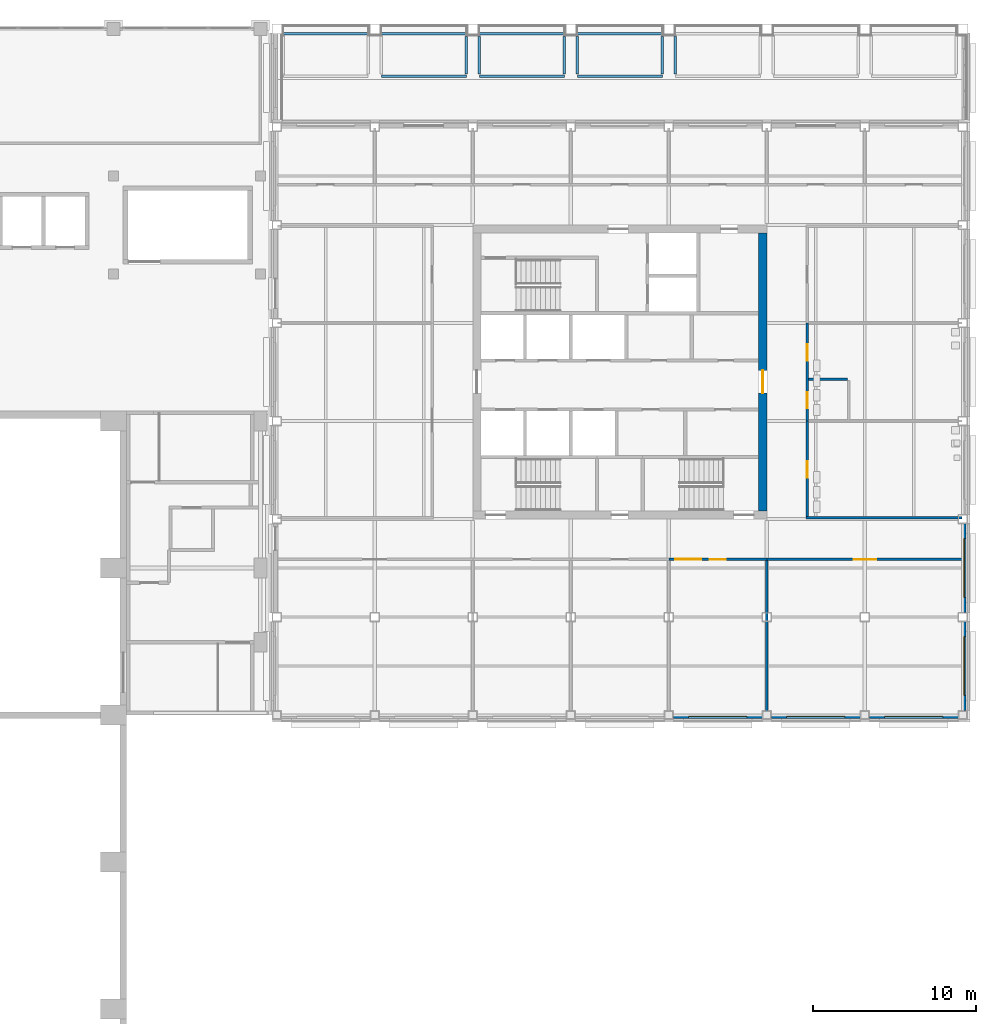
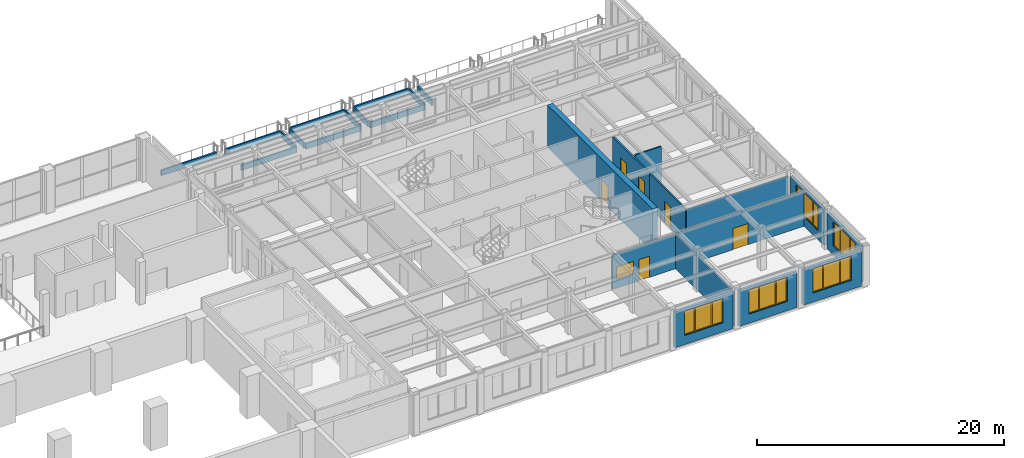
# One storey, part 26 of 39: 26 walls, 6 doors, 6 windows, 12 openings.
"""IFC4 building model written with IfcOpenShell, lengths in metres."""

from ifc_helpers import new_model, si_unit, direction, frame, frame_2d, origin, place, context, subcontext, project, spatial, polyline, rectangle, outline, extrude, material, layer, layer_set, type_object, element, fill, save


model = new_model("IFC4")

# Units and contexts
model_context = context("Model", 3, precision=1e-05, world=origin(), true_north=direction((0.0, 1.0)))
body_context = subcontext(model_context, "Body", "Model", "MODEL_VIEW")
ifc_project = project(units=[si_unit("LENGTHUNIT", "METRE"), si_unit("AREAUNIT", "SQUARE_METRE"), si_unit("VOLUMEUNIT", "CUBIC_METRE"), si_unit("PLANEANGLEUNIT", "RADIAN"), si_unit("MASSUNIT", "GRAM", prefix="KILO")], contexts=[model_context])

# Site, building, storey
site_placement = place(None, origin())
site = spatial("IfcSite", under=ifc_project, at=site_placement, CompositionType="ELEMENT")
building_placement = place(site_placement, origin())
building = spatial("IfcBuilding", under=site, at=building_placement, Name="Aravalli Gate Trade Fair Centre", CompositionType="ELEMENT")
storey_placement = place(building_placement, frame((0.0, 0.0, 15.0)))
storey = spatial("IfcBuildingStorey", under=building, at=storey_placement, Name="L03", CompositionType="ELEMENT", Elevation=15.0)

# Wall, opening, door
ifc_material_1 = material(Name="Concrete M50", Category="concrete")
ifc_layer_1 = layer(ifc_material_1, 0.5)
ifc_layer_set_1 = layer_set([ifc_layer_1], Name="Concrete M50")
wall_type_1 = type_object("IfcWallType", Name="Wing core shear wall 500", PredefinedType="SHEAR", material=ifc_layer_set_1)
wall_1_placement = place(storey_placement, frame((189.75, 103.5, 0.0), z_axis=(0.0, 0.0, 1.0), x_axis=(0.0, 1.0, 0.0)))
wall_1 = element("IfcWall", 1, at=wall_1_placement, inside=storey, type_object=wall_type_1, Name="Core wall E L03", PredefinedType="SHEAR", context=body_context, shape_type="SweptSolid", body=[
    extrude(rectangle(XDim=17.0, YDim=0.5, at=frame_2d((8.5, 0.0))), origin(), (0.0, 0.0, 1.0), 4.199951171875),
])
opening_1_placement = place(wall_1_placement, frame((7.199951171875, 0.0, 0.0)))
opening_1 = element("IfcOpeningElement", 2, at=opening_1_placement, cuts=wall_1, Name="Opening T-L03-107", PredefinedType="OPENING", context=body_context, shape_type="SweptSolid", body=[
    extrude(rectangle(XDim=1.39990234375, YDim=2.10009765625, at=frame_2d((0.699951171875, 1.050048828125))), frame((0.0, 0.260009765625, 0.0), z_axis=(0.0, -1.0, 0.0), x_axis=(1.0, 0.0, 0.0)), (0.0, 0.0, 1.0), 0.52001953125),
])
ifc_material_2 = material(Name="Steel, fire rated", Category="steel")
door_type_1 = type_object("IfcDoorType", Name="Wing fire door FD120 1400 x 2100", OperationType="DOUBLE_DOOR_SINGLE_SWING", PredefinedType="DOOR", material=ifc_material_2)
door_1_placement = place(opening_1_placement, frame((1.39990234375, 0.0, 0.0), z_axis=(0.0, 0.0, 1.0), x_axis=(-1.0, 0.0, 0.0)))
door_1 = element("IfcDoor", 3, at=door_1_placement, inside=storey, type_object=door_type_1, Name="Core door T-L03-107", OperationType="DOUBLE_DOOR_SINGLE_SWING", OverallHeight=2.10009765625, OverallWidth=1.39990234375, PredefinedType="DOOR", context=body_context, shape_type="SweptSolid", body=[
    extrude(rectangle(XDim=1.39990234375, YDim=2.10009765625, at=frame_2d((0.699951171875, 1.050048828125))), frame((0.0, 0.02490234375, 0.0), z_axis=(0.0, -1.0, 0.0), x_axis=(1.0, 0.0, 0.0)), (0.0, 0.0, 1.0), 0.050048828125),
])
fill(opening_1, door_1)

# Wall, openings, door, window
ifc_material_3 = material(Name="Blockwork with fire-rated lining", Category="masonry")
ifc_layer_2 = layer(ifc_material_3, 0.14990234375)
ifc_layer_set_2 = layer_set([ifc_layer_2], Name="Blockwork with fire-rated lining")
wall_type_2 = type_object("IfcWallType", Name="Wing partition 150 (EI 60, corridor wall)", PredefinedType="PARTITIONING", material=ifc_layer_set_2)
wall_2_placement = place(storey_placement, frame((184.0, 100.52490234375, 0.0), z_axis=(0.0, 0.0, 1.0), x_axis=(1.0, 0.0, 0.0)))
wall_2 = element("IfcWall", 4, at=wall_2_placement, inside=storey, type_object=wall_type_2, Name="Partition SW4 L03", PredefinedType="PARTITIONING", context=body_context, shape_type="SweptSolid", body=[
    extrude(rectangle(XDim=6.0, YDim=0.14990234375, at=frame_2d((3.0, 0.0))), origin(), (0.0, 0.0, 1.0), 3.39990234375),
])
opening_2_placement = place(wall_2_placement, frame((0.39990234375, 0.0, 0.89990234375)))
opening_2 = element("IfcOpeningElement", 5, at=opening_2_placement, cuts=wall_2, Name="Opening TWN2", PredefinedType="OPENING", context=body_context, shape_type="SweptSolid", body=[
    extrude(rectangle(XDim=1.60009765625, YDim=1.199951171875, at=frame_2d((0.800048828125, 0.60009765625))), frame((0.0, 0.0849609375, 0.0), z_axis=(0.0, -1.0, 0.0), x_axis=(1.0, 0.0, 0.0)), (0.0, 0.0, 1.0), 0.169921875),
])
opening_3_placement = place(wall_2_placement, frame((2.5, 0.0, 0.0)))
opening_3 = element("IfcOpeningElement", 6, at=opening_3_placement, cuts=wall_2, Name="Opening T-L03-144", PredefinedType="OPENING", context=body_context, shape_type="SweptSolid", body=[
    extrude(rectangle(XDim=1.0, YDim=2.10009765625, at=frame_2d((0.5, 1.050048828125))), frame((0.0, 0.0849609375, 0.0), z_axis=(0.0, -1.0, 0.0), x_axis=(1.0, 0.0, 0.0)), (0.0, 0.0, 1.0), 0.169921875),
])
door_type_2 = type_object("IfcDoorType", Name="Wing fire door FD60 1000 x 2100", OperationType="SINGLE_SWING_LEFT", PredefinedType="DOOR", material=ifc_material_2)
door_2_placement = place(opening_3_placement, frame((1.0, 0.0, 0.0), z_axis=(0.0, 0.0, 1.0), x_axis=(-1.0, 0.0, 0.0)))
door_2 = element("IfcDoor", 7, at=door_2_placement, inside=storey, type_object=door_type_2, Name="Door T-L03-144", OperationType="SINGLE_SWING_LEFT", OverallHeight=2.10009765625, OverallWidth=1.0, PredefinedType="DOOR", context=body_context, shape_type="SweptSolid", body=[
    extrude(rectangle(XDim=1.0, YDim=2.10009765625, at=frame_2d((0.5, 1.050048828125))), frame((0.0, 0.02490234375, 0.0), z_axis=(0.0, -1.0, 0.0), x_axis=(1.0, 0.0, 0.0)), (0.0, 0.0, 1.0), 0.050048828125),
])
fill(opening_3, door_2)
ifc_material_4 = material(Name="Aluminium and glass", Category="aluminium")
window_type_1 = type_object("IfcWindowType", Name="Wing interior glazed screen 1600 x 1200", PartitioningType="SINGLE_PANEL", PredefinedType="WINDOW", material=ifc_material_4)
window_1_placement = place(opening_2_placement, origin())
window_1 = element("IfcWindow", 8, at=window_1_placement, inside=storey, type_object=window_type_1, Name="Glazed screen T-L03-144", OverallHeight=1.199951171875, OverallWidth=1.60009765625, PartitioningType="SINGLE_PANEL", PredefinedType="WINDOW", context=body_context, shape_type="SweptSolid", body=[
    extrude(rectangle(XDim=1.60009765625, YDim=1.199951171875, at=frame_2d((0.800048828125, 0.60009765625))), frame((0.0, 0.030029296875, 0.0), z_axis=(0.0, -1.0, 0.0), x_axis=(1.0, 0.0, 0.0)), (0.0, 0.0, 1.0), 0.06005859375),
])
fill(opening_2, window_1)

# Wall
wall_3_placement = place(storey_placement, frame((190.0, 91.050048828125, 0.0), z_axis=(0.0, 0.0, 1.0), x_axis=(0.0, 1.0, 0.0)))
element("IfcWall", 9, at=wall_3_placement, inside=storey, type_object=wall_type_2, Name="Partition SP4 L03", PredefinedType="PARTITIONING", context=body_context, shape_type="SweptSolid", body=[
    extrude(rectangle(XDim=9.39990234375, YDim=0.14990234375, at=frame_2d((4.699951171875, 0.0))), origin(), (0.0, 0.0, 1.0), 3.39990234375),
])

# Wall, opening, door
wall_4_placement = place(storey_placement, frame((190.0, 100.52490234375, 0.0), z_axis=(0.0, 0.0, 1.0), x_axis=(1.0, 0.0, 0.0)))
wall_4 = element("IfcWall", 10, at=wall_4_placement, inside=storey, type_object=wall_type_2, Name="Partition SW5 L03", PredefinedType="PARTITIONING", context=body_context, shape_type="SweptSolid", body=[
    extrude(rectangle(XDim=11.949951171875, YDim=0.14990234375, at=frame_2d((5.97509765625, 0.0))), origin(), (0.0, 0.0, 1.0), 3.39990234375),
])
opening_4_placement = place(wall_4_placement, frame((5.3125, 0.0, 0.0)))
opening_4 = element("IfcOpeningElement", 11, at=opening_4_placement, cuts=wall_4, Name="Opening T-L03-145", PredefinedType="OPENING", context=body_context, shape_type="SweptSolid", body=[
    extrude(rectangle(XDim=1.39990234375, YDim=2.10009765625, at=frame_2d((0.699951171875, 1.050048828125))), frame((0.0, 0.0849609375, 0.0), z_axis=(0.0, -1.0, 0.0), x_axis=(1.0, 0.0, 0.0)), (0.0, 0.0, 1.0), 0.169921875),
])
door_type_3 = type_object("IfcDoorType", Name="Wing fire door FD60 1400 x 2100", OperationType="DOUBLE_DOOR_SINGLE_SWING", PredefinedType="DOOR", material=ifc_material_2)
door_3_placement = place(opening_4_placement, frame((1.39990234375, 0.0, 0.0), z_axis=(0.0, 0.0, 1.0), x_axis=(-1.0, 0.0, 0.0)))
door_3 = element("IfcDoor", 12, at=door_3_placement, inside=storey, type_object=door_type_3, Name="Door T-L03-145", OperationType="DOUBLE_DOOR_SINGLE_SWING", OverallHeight=2.10009765625, OverallWidth=1.39990234375, PredefinedType="DOOR", context=body_context, shape_type="SweptSolid", body=[
    extrude(rectangle(XDim=1.39990234375, YDim=2.10009765625, at=frame_2d((0.699951171875, 1.050048828125))), frame((0.0, 0.02490234375, 0.0), z_axis=(0.0, -1.0, 0.0), x_axis=(1.0, 0.0, 0.0)), (0.0, 0.0, 1.0), 0.050048828125),
])
fill(opening_4, door_3)

wall_5_placement = place(storey_placement, frame((192.47509765625, 103.14990234375, 0.0), z_axis=(0.0, 0.0, 1.0), x_axis=(0.0, 1.0, 0.0)))
wall_5 = element("IfcWall", 13, at=wall_5_placement, inside=storey, type_object=wall_type_2, Name="Partition EW1 L03", PredefinedType="PARTITIONING", context=body_context, shape_type="SweptSolid", body=[
    extrude(rectangle(XDim=5.85009765625, YDim=0.14990234375, at=frame_2d((2.925048828125, 0.0))), origin(), (0.0, 0.0, 1.0), 3.39990234375),
])
opening_5_placement = place(wall_5_placement, frame((2.387451171875, 0.0, 0.0)))
opening_5 = element("IfcOpeningElement", 14, at=opening_5_placement, cuts=wall_5, Name="Opening T-L03-155", PredefinedType="OPENING", context=body_context, shape_type="SweptSolid", body=[
    extrude(rectangle(XDim=1.0, YDim=2.10009765625, at=frame_2d((0.5, 1.050048828125))), frame((0.0, 0.0849609375, 0.0), z_axis=(0.0, -1.0, 0.0), x_axis=(1.0, 0.0, 0.0)), (0.0, 0.0, 1.0), 0.169921875),
])
door_4_placement = place(opening_5_placement, frame((1.0, 0.0, 0.0), z_axis=(0.0, 0.0, 1.0), x_axis=(-1.0, 0.0, 0.0)))
door_4 = element("IfcDoor", 15, at=door_4_placement, inside=storey, type_object=door_type_2, Name="Door T-L03-155", OperationType="SINGLE_SWING_RIGHT", OverallHeight=2.10009765625, OverallWidth=1.0, PredefinedType="DOOR", context=body_context, shape_type="SweptSolid", body=[
    extrude(rectangle(XDim=1.0, YDim=2.10009765625, at=frame_2d((0.5, 1.050048828125))), frame((0.0, 0.02490234375, 0.0), z_axis=(0.0, -1.0, 0.0), x_axis=(1.0, 0.0, 0.0)), (0.0, 0.0, 1.0), 0.050048828125),
])
fill(opening_5, door_4)

# Wall, openings, doors
wall_6_placement = place(storey_placement, frame((192.47509765625, 109.0, 0.0), z_axis=(0.0, 0.0, 1.0), x_axis=(0.0, 1.0, 0.0)))
wall_6 = element("IfcWall", 16, at=wall_6_placement, inside=storey, type_object=wall_type_2, Name="Partition EW2 L03", PredefinedType="PARTITIONING", context=body_context, shape_type="SweptSolid", body=[
    extrude(rectangle(XDim=6.0, YDim=0.14990234375, at=frame_2d((3.0, 0.0))), origin(), (0.0, 0.0, 1.0), 3.39990234375),
])
opening_6_placement = place(wall_6_placement, frame((3.699951171875, 0.0, 0.0)))
opening_6 = element("IfcOpeningElement", 17, at=opening_6_placement, cuts=wall_6, Name="Opening T-L03-156", PredefinedType="OPENING", context=body_context, shape_type="SweptSolid", body=[
    extrude(rectangle(XDim=1.0, YDim=2.10009765625, at=frame_2d((0.5, 1.050048828125))), frame((0.0, 0.0849609375, 0.0), z_axis=(0.0, -1.0, 0.0), x_axis=(1.0, 0.0, 0.0)), (0.0, 0.0, 1.0), 0.169921875),
])
opening_7_placement = place(wall_6_placement, frame((0.77490234375, 0.0, 0.0)))
opening_7 = element("IfcOpeningElement", 18, at=opening_7_placement, cuts=wall_6, Name="Opening T-L03-157", PredefinedType="OPENING", context=body_context, shape_type="SweptSolid", body=[
    extrude(rectangle(XDim=1.0, YDim=2.10009765625, at=frame_2d((0.5, 1.050048828125))), frame((0.0, 0.0849609375, 0.0), z_axis=(0.0, -1.0, 0.0), x_axis=(1.0, 0.0, 0.0)), (0.0, 0.0, 1.0), 0.169921875),
])
door_5_placement = place(opening_6_placement, frame((1.0, 0.0, 0.0), z_axis=(0.0, 0.0, 1.0), x_axis=(-1.0, 0.0, 0.0)))
door_5 = element("IfcDoor", 19, at=door_5_placement, inside=storey, type_object=door_type_2, Name="Door T-L03-156", OperationType="SINGLE_SWING_RIGHT", OverallHeight=2.10009765625, OverallWidth=1.0, PredefinedType="DOOR", context=body_context, shape_type="SweptSolid", body=[
    extrude(rectangle(XDim=1.0, YDim=2.10009765625, at=frame_2d((0.5, 1.050048828125))), frame((0.0, 0.02490234375, 0.0), z_axis=(0.0, -1.0, 0.0), x_axis=(1.0, 0.0, 0.0)), (0.0, 0.0, 1.0), 0.050048828125),
])
fill(opening_6, door_5)
door_6_placement = place(opening_7_placement, frame((1.0, 0.0, 0.0), z_axis=(0.0, 0.0, 1.0), x_axis=(-1.0, 0.0, 0.0)))
door_6 = element("IfcDoor", 20, at=door_6_placement, inside=storey, type_object=door_type_2, Name="Door T-L03-157", OperationType="SINGLE_SWING_RIGHT", OverallHeight=2.10009765625, OverallWidth=1.0, PredefinedType="DOOR", context=body_context, shape_type="SweptSolid", body=[
    extrude(rectangle(XDim=1.0, YDim=2.10009765625, at=frame_2d((0.5, 1.050048828125))), frame((0.0, 0.02490234375, 0.0), z_axis=(0.0, -1.0, 0.0), x_axis=(1.0, 0.0, 0.0)), (0.0, 0.0, 1.0), 0.050048828125),
])
fill(opening_7, door_6)

# Walls
wall_7_placement = place(storey_placement, frame((192.550048828125, 111.550048828125, 0.0), z_axis=(0.0, 0.0, 1.0), x_axis=(1.0, 0.0, 0.0)))
element("IfcWall", 21, at=wall_7_placement, inside=storey, type_object=wall_type_2, Name="Partition EA2y L03", PredefinedType="PARTITIONING", context=body_context, shape_type="SweptSolid", body=[
    extrude(rectangle(XDim=2.39990234375, YDim=0.14990234375, at=frame_2d((1.199951171875, 0.0))), origin(), (0.0, 0.0, 1.0), 3.64990234375),
])
wall_8_placement = place(storey_placement, frame((192.39990234375, 103.074951171875, 0.0), z_axis=(0.0, 0.0, 1.0), x_axis=(1.0, 0.0, 0.0)))
element("IfcWall", 22, at=wall_8_placement, inside=storey, type_object=wall_type_2, Name="Partition CL-SE L03", PredefinedType="PARTITIONING", context=body_context, shape_type="SweptSolid", body=[
    extrude(rectangle(XDim=9.550048828125, YDim=0.14990234375, at=frame_2d((4.77490234375, 0.0))), origin(), (0.0, 0.0, 1.0), 3.39990234375),
])
ifc_material_5 = material(Name="Concrete M30", Category="concrete")
ifc_layer_3 = layer(ifc_material_5, 0.14990234375)
ifc_layer_set_3 = layer_set([ifc_layer_3], Name="Concrete M30")
wall_type_3 = type_object("IfcWallType", Name="Wing planter wall 150", PredefinedType="SOLIDWALL", material=ifc_layer_set_3)
for number, where, z_axis, x_axis, name in (
    (23, (160.39990234375, 132.705078125, 0.0), (0.0, 0.0, 1.0), (1.0, 0.0, 0.0), "Planter wall L03 1N"),
    (24, (166.39990234375, 130.10498046875, 0.0), (0.0, 0.0, 1.0), (1.0, 0.0, 0.0), "Planter wall L03 2S"),
    (25, (166.39990234375, 132.705078125, 0.0), (0.0, 0.0, 1.0), (1.0, 0.0, 0.0), "Planter wall L03 2N"),
):
    element("IfcWall", number, at=place(storey_placement, frame(where, z_axis=z_axis, x_axis=x_axis)), inside=storey, type_object=wall_type_3, Name=name, PredefinedType="SOLIDWALL", context=body_context, shape_type="SweptSolid", body=[
        extrude(rectangle(XDim=5.2001953125, YDim=0.14990234375, at=frame_2d((2.60009765625, 0.0))), origin(), (0.0, 0.0, 1.0), 0.550048828125),
    ])
wall_9_placement = place(storey_placement, frame((171.60009765625, 130.2548828125, 0.0), z_axis=(0.0, 0.0, 1.0), x_axis=(0.0, 1.0, 0.0)))
element("IfcWall", 26, at=wall_9_placement, inside=storey, type_object=wall_type_3, Name="Planter wall L03 2E", PredefinedType="SOLIDWALL", context=body_context, shape_type="SweptSolid", body=[
    extrude(rectangle(XDim=2.300048828125, YDim=0.14990234375, at=frame_2d((1.14990234375, 0.0))), origin(), (0.0, 0.0, 1.0), 0.550048828125),
])
for number, where, z_axis, x_axis, name in (
    (27, (172.39990234375, 130.10498046875, 0.0), (0.0, 0.0, 1.0), (1.0, 0.0, 0.0), "Planter wall L03 3S"),
    (28, (172.39990234375, 132.705078125, 0.0), (0.0, 0.0, 1.0), (1.0, 0.0, 0.0), "Planter wall L03 3N"),
):
    element("IfcWall", number, at=place(storey_placement, frame(where, z_axis=z_axis, x_axis=x_axis)), inside=storey, type_object=wall_type_3, Name=name, PredefinedType="SOLIDWALL", context=body_context, shape_type="SweptSolid", body=[
        extrude(rectangle(XDim=5.2001953125, YDim=0.14990234375, at=frame_2d((2.60009765625, 0.0))), origin(), (0.0, 0.0, 1.0), 0.550048828125),
    ])
for number, where, z_axis, x_axis, name in (
    (29, (172.39990234375, 130.2548828125, 0.0), (0.0, 0.0, 1.0), (0.0, 1.0, 0.0), "Planter wall L03 3W"),
    (30, (177.60009765625, 130.2548828125, 0.0), (0.0, 0.0, 1.0), (0.0, 1.0, 0.0), "Planter wall L03 3E"),
):
    element("IfcWall", number, at=place(storey_placement, frame(where, z_axis=z_axis, x_axis=x_axis)), inside=storey, type_object=wall_type_3, Name=name, PredefinedType="SOLIDWALL", context=body_context, shape_type="SweptSolid", body=[
        extrude(rectangle(XDim=2.300048828125, YDim=0.14990234375, at=frame_2d((1.14990234375, 0.0))), origin(), (0.0, 0.0, 1.0), 0.550048828125),
    ])
for number, where, z_axis, x_axis, name in (
    (31, (178.39990234375, 130.10498046875, 0.0), (0.0, 0.0, 1.0), (1.0, 0.0, 0.0), "Planter wall L03 4S"),
    (32, (178.39990234375, 132.705078125, 0.0), (0.0, 0.0, 1.0), (1.0, 0.0, 0.0), "Planter wall L03 4N"),
):
    element("IfcWall", number, at=place(storey_placement, frame(where, z_axis=z_axis, x_axis=x_axis)), inside=storey, type_object=wall_type_3, Name=name, PredefinedType="SOLIDWALL", context=body_context, shape_type="SweptSolid", body=[
        extrude(rectangle(XDim=5.2001953125, YDim=0.14990234375, at=frame_2d((2.60009765625, 0.0))), origin(), (0.0, 0.0, 1.0), 0.550048828125),
    ])
for number, where, z_axis, x_axis, name in (
    (33, (178.39990234375, 130.2548828125, 0.0), (0.0, 0.0, 1.0), (0.0, 1.0, 0.0), "Planter wall L03 4W"),
    (34, (183.60009765625, 130.2548828125, 0.0), (0.0, 0.0, 1.0), (0.0, 1.0, 0.0), "Planter wall L03 4E"),
    (35, (184.39990234375, 130.2548828125, 0.0), (0.0, 0.0, 1.0), (0.0, 1.0, 0.0), "Planter wall L03 5W"),
):
    element("IfcWall", number, at=place(storey_placement, frame(where, z_axis=z_axis, x_axis=x_axis)), inside=storey, type_object=wall_type_3, Name=name, PredefinedType="SOLIDWALL", context=body_context, shape_type="SweptSolid", body=[
        extrude(rectangle(XDim=2.300048828125, YDim=0.14990234375, at=frame_2d((1.14990234375, 0.0))), origin(), (0.0, 0.0, 1.0), 0.550048828125),
    ])

# Wall, opening, window
ifc_material_6 = material(Name="Concrete block masonry", Category="masonry")
ifc_layer_4 = layer(ifc_material_6, 0.2099609375, Name="Block masonry")
ifc_material_7 = material(Name="Terracotta cladding", Category="masonry")
ifc_layer_5 = layer(ifc_material_7, 0.0400390625, Name="Terracotta cladding")
ifc_layer_set_4 = layer_set([ifc_layer_4, ifc_layer_5], Name="Wing terracotta clad infill wall 250")
wall_type_4 = type_object("IfcWallType", Name="Wing terracotta clad infill wall 250", PredefinedType="SOLIDWALL", material=ifc_layer_set_4)
wall_10_placement = place(storey_placement, frame((184.27490234375, 90.925048828125, 0.0), z_axis=(0.0, 0.0, 1.0), x_axis=(1.0, 0.0, 0.0)))
wall_10 = element("IfcWall", 36, at=wall_10_placement, inside=storey, type_object=wall_type_4, Name="Facade wall S4 L03", PredefinedType="SOLIDWALL", context=body_context, shape_type="SweptSolid", body=[
    extrude(rectangle(XDim=5.4501953125, YDim=0.25, at=frame_2d((2.72509765625, 0.0))), origin(), (0.0, 0.0, 1.0), 3.550048828125),
])
opening_8_placement = place(wall_10_placement, frame((0.925048828125, 0.0, 0.89990234375)))
opening_8 = element("IfcOpeningElement", 37, at=opening_8_placement, cuts=wall_10, Name="Opening TWN1", PredefinedType="OPENING", context=body_context, shape_type="SweptSolid", body=[
    extrude(rectangle(XDim=3.60009765625, YDim=2.39990234375, at=frame_2d((1.800048828125, 1.199951171875))), frame((0.0, 0.135009765625, 0.0), z_axis=(0.0, -1.0, 0.0), x_axis=(1.0, 0.0, 0.0)), (0.0, 0.0, 1.0), 0.27001953125),
])
window_type_2 = type_object("IfcWindowType", Name="Wing chicago window 3600 x 2400", PartitioningType="TRIPLE_PANEL_VERTICAL", PredefinedType="WINDOW", material=ifc_material_4)
window_2_placement = place(opening_8_placement, origin())
window_2 = element("IfcWindow", 38, at=window_2_placement, inside=storey, type_object=window_type_2, Name="Window S4 L03", OverallHeight=2.39990234375, OverallWidth=3.60009765625, PartitioningType="TRIPLE_PANEL_VERTICAL", PredefinedType="WINDOW", context=body_context, shape_type="SweptSolid", body=[
    extrude(outline(polyline([(0.0, 0.0), (3.60009765625, 0.0), (3.60009765625, 2.39990234375), (0.0, 2.39990234375), (0.0, 0.0)]), holes=[polyline([(0.06005859375, 0.06005859375), (0.9599609375, 0.06005859375), (0.9599609375, 2.33984375), (0.06005859375, 2.33984375), (0.06005859375, 0.06005859375)]), polyline([(1.06005859375, 0.06005859375), (2.539794921875, 0.06005859375), (2.539794921875, 2.33984375), (1.06005859375, 2.33984375), (1.06005859375, 0.06005859375)]), polyline([(2.639892578125, 0.06005859375), (3.539794921875, 0.06005859375), (3.539794921875, 2.33984375), (2.639892578125, 2.33984375), (2.639892578125, 0.06005859375)])]), frame((0.0, 0.030029296875, 0.0), z_axis=(0.0, -1.0, 0.0), x_axis=(1.0, 0.0, 0.0)), (0.0, 0.0, 1.0), 0.06005859375),
    extrude(rectangle(XDim=0.923828125, YDim=2.3037109375, at=frame_2d((0.510009765625, 1.199951171875))), frame((0.0, 0.010009765625, 0.0), z_axis=(0.0, -1.0, 0.0), x_axis=(1.0, 0.0, 0.0)), (0.0, 0.0, 1.0), 0.02001953125),
    extrude(rectangle(XDim=1.503662109375, YDim=2.3037109375, at=frame_2d((1.7998046875, 1.199951171875))), frame((0.0, 0.010009765625, 0.0), z_axis=(0.0, -1.0, 0.0), x_axis=(1.0, 0.0, 0.0)), (0.0, 0.0, 1.0), 0.02001953125),
    extrude(rectangle(XDim=0.923828125, YDim=2.3037109375, at=frame_2d((3.08984375, 1.199951171875))), frame((0.0, 0.010009765625, 0.0), z_axis=(0.0, -1.0, 0.0), x_axis=(1.0, 0.0, 0.0)), (0.0, 0.0, 1.0), 0.02001953125),
])
fill(opening_8, window_2)

wall_11_placement = place(storey_placement, frame((190.27490234375, 90.925048828125, 0.0), z_axis=(0.0, 0.0, 1.0), x_axis=(1.0, 0.0, 0.0)))
wall_11 = element("IfcWall", 39, at=wall_11_placement, inside=storey, type_object=wall_type_4, Name="Facade wall S5 L03", PredefinedType="SOLIDWALL", context=body_context, shape_type="SweptSolid", body=[
    extrude(rectangle(XDim=5.4501953125, YDim=0.25, at=frame_2d((2.72509765625, 0.0))), origin(), (0.0, 0.0, 1.0), 3.550048828125),
])
opening_9_placement = place(wall_11_placement, frame((0.925048828125, 0.0, 0.89990234375)))
opening_9 = element("IfcOpeningElement", 40, at=opening_9_placement, cuts=wall_11, Name="Opening TWN1", PredefinedType="OPENING", context=body_context, shape_type="SweptSolid", body=[
    extrude(rectangle(XDim=3.60009765625, YDim=2.39990234375, at=frame_2d((1.800048828125, 1.199951171875))), frame((0.0, 0.135009765625, 0.0), z_axis=(0.0, -1.0, 0.0), x_axis=(1.0, 0.0, 0.0)), (0.0, 0.0, 1.0), 0.27001953125),
])
window_3_placement = place(opening_9_placement, origin())
window_3 = element("IfcWindow", 41, at=window_3_placement, inside=storey, type_object=window_type_2, Name="Window S5 L03", OverallHeight=2.39990234375, OverallWidth=3.60009765625, PartitioningType="TRIPLE_PANEL_VERTICAL", PredefinedType="WINDOW", context=body_context, shape_type="SweptSolid", body=[
    extrude(outline(polyline([(0.0, 0.0), (3.60009765625, 0.0), (3.60009765625, 2.39990234375), (0.0, 2.39990234375), (0.0, 0.0)]), holes=[polyline([(0.06005859375, 0.06005859375), (0.9599609375, 0.06005859375), (0.9599609375, 2.33984375), (0.06005859375, 2.33984375), (0.06005859375, 0.06005859375)]), polyline([(1.06005859375, 0.06005859375), (2.539794921875, 0.06005859375), (2.539794921875, 2.33984375), (1.06005859375, 2.33984375), (1.06005859375, 0.06005859375)]), polyline([(2.639892578125, 0.06005859375), (3.539794921875, 0.06005859375), (3.539794921875, 2.33984375), (2.639892578125, 2.33984375), (2.639892578125, 0.06005859375)])]), frame((0.0, 0.030029296875, 0.0), z_axis=(0.0, -1.0, 0.0), x_axis=(1.0, 0.0, 0.0)), (0.0, 0.0, 1.0), 0.06005859375),
    extrude(rectangle(XDim=0.923828125, YDim=2.3037109375, at=frame_2d((0.510009765625, 1.199951171875))), frame((0.0, 0.010009765625, 0.0), z_axis=(0.0, -1.0, 0.0), x_axis=(1.0, 0.0, 0.0)), (0.0, 0.0, 1.0), 0.02001953125),
    extrude(rectangle(XDim=1.503662109375, YDim=2.3037109375, at=frame_2d((1.7998046875, 1.199951171875))), frame((0.0, 0.010009765625, 0.0), z_axis=(0.0, -1.0, 0.0), x_axis=(1.0, 0.0, 0.0)), (0.0, 0.0, 1.0), 0.02001953125),
    extrude(rectangle(XDim=0.923828125, YDim=2.3037109375, at=frame_2d((3.08984375, 1.199951171875))), frame((0.0, 0.010009765625, 0.0), z_axis=(0.0, -1.0, 0.0), x_axis=(1.0, 0.0, 0.0)), (0.0, 0.0, 1.0), 0.02001953125),
])
fill(opening_9, window_3)

wall_12_placement = place(storey_placement, frame((196.27490234375, 90.925048828125, 0.0), z_axis=(0.0, 0.0, 1.0), x_axis=(1.0, 0.0, 0.0)))
wall_12 = element("IfcWall", 42, at=wall_12_placement, inside=storey, type_object=wall_type_4, Name="Facade wall S6 L03", PredefinedType="SOLIDWALL", context=body_context, shape_type="SweptSolid", body=[
    extrude(rectangle(XDim=5.4501953125, YDim=0.25, at=frame_2d((2.72509765625, 0.0))), origin(), (0.0, 0.0, 1.0), 3.550048828125),
])
opening_10_placement = place(wall_12_placement, frame((0.925048828125, 0.0, 0.89990234375)))
opening_10 = element("IfcOpeningElement", 43, at=opening_10_placement, cuts=wall_12, Name="Opening TWN1", PredefinedType="OPENING", context=body_context, shape_type="SweptSolid", body=[
    extrude(rectangle(XDim=3.60009765625, YDim=2.39990234375, at=frame_2d((1.800048828125, 1.199951171875))), frame((0.0, 0.135009765625, 0.0), z_axis=(0.0, -1.0, 0.0), x_axis=(1.0, 0.0, 0.0)), (0.0, 0.0, 1.0), 0.27001953125),
])
window_4_placement = place(opening_10_placement, origin())
window_4 = element("IfcWindow", 44, at=window_4_placement, inside=storey, type_object=window_type_2, Name="Window S6 L03", OverallHeight=2.39990234375, OverallWidth=3.60009765625, PartitioningType="TRIPLE_PANEL_VERTICAL", PredefinedType="WINDOW", context=body_context, shape_type="SweptSolid", body=[
    extrude(outline(polyline([(0.0, 0.0), (3.60009765625, 0.0), (3.60009765625, 2.39990234375), (0.0, 2.39990234375), (0.0, 0.0)]), holes=[polyline([(0.06005859375, 0.06005859375), (0.9599609375, 0.06005859375), (0.9599609375, 2.33984375), (0.06005859375, 2.33984375), (0.06005859375, 0.06005859375)]), polyline([(1.06005859375, 0.06005859375), (2.539794921875, 0.06005859375), (2.539794921875, 2.33984375), (1.06005859375, 2.33984375), (1.06005859375, 0.06005859375)]), polyline([(2.639892578125, 0.06005859375), (3.539794921875, 0.06005859375), (3.539794921875, 2.33984375), (2.639892578125, 2.33984375), (2.639892578125, 0.06005859375)])]), frame((0.0, 0.030029296875, 0.0), z_axis=(0.0, -1.0, 0.0), x_axis=(1.0, 0.0, 0.0)), (0.0, 0.0, 1.0), 0.06005859375),
    extrude(rectangle(XDim=0.923828125, YDim=2.3037109375, at=frame_2d((0.510009765625, 1.199951171875))), frame((0.0, 0.010009765625, 0.0), z_axis=(0.0, -1.0, 0.0), x_axis=(1.0, 0.0, 0.0)), (0.0, 0.0, 1.0), 0.02001953125),
    extrude(rectangle(XDim=1.503662109375, YDim=2.3037109375, at=frame_2d((1.7998046875, 1.199951171875))), frame((0.0, 0.010009765625, 0.0), z_axis=(0.0, -1.0, 0.0), x_axis=(1.0, 0.0, 0.0)), (0.0, 0.0, 1.0), 0.02001953125),
    extrude(rectangle(XDim=0.923828125, YDim=2.3037109375, at=frame_2d((3.08984375, 1.199951171875))), frame((0.0, 0.010009765625, 0.0), z_axis=(0.0, -1.0, 0.0), x_axis=(1.0, 0.0, 0.0)), (0.0, 0.0, 1.0), 0.02001953125),
])
fill(opening_10, window_4)

wall_13_placement = place(storey_placement, frame((202.074951171875, 91.27490234375, 0.0), z_axis=(0.0, 0.0, 1.0), x_axis=(0.0, 1.0, 0.0)))
wall_13 = element("IfcWall", 45, at=wall_13_placement, inside=storey, type_object=wall_type_4, Name="Facade wall E0 L03", PredefinedType="SOLIDWALL", context=body_context, shape_type="SweptSolid", body=[
    extrude(rectangle(XDim=5.4501953125, YDim=0.25, at=frame_2d((2.72509765625, 0.0))), origin(), (0.0, 0.0, 1.0), 3.550048828125),
])
opening_11_placement = place(wall_13_placement, frame((0.925048828125, 0.0, 0.89990234375)))
opening_11 = element("IfcOpeningElement", 46, at=opening_11_placement, cuts=wall_13, Name="Opening TWN1", PredefinedType="OPENING", context=body_context, shape_type="SweptSolid", body=[
    extrude(rectangle(XDim=3.60009765625, YDim=2.39990234375, at=frame_2d((1.800048828125, 1.199951171875))), frame((0.0, 0.135009765625, 0.0), z_axis=(0.0, -1.0, 0.0), x_axis=(1.0, 0.0, 0.0)), (0.0, 0.0, 1.0), 0.27001953125),
])
window_5_placement = place(opening_11_placement, origin())
window_5 = element("IfcWindow", 47, at=window_5_placement, inside=storey, type_object=window_type_2, Name="Window E0 L03", OverallHeight=2.39990234375, OverallWidth=3.60009765625, PartitioningType="TRIPLE_PANEL_VERTICAL", PredefinedType="WINDOW", context=body_context, shape_type="SweptSolid", body=[
    extrude(outline(polyline([(0.0, 0.0), (3.60009765625, 0.0), (3.60009765625, 2.39990234375), (0.0, 2.39990234375), (0.0, 0.0)]), holes=[polyline([(0.06005859375, 0.06005859375), (0.9599609375, 0.06005859375), (0.9599609375, 2.33984375), (0.06005859375, 2.33984375), (0.06005859375, 0.06005859375)]), polyline([(1.06005859375, 0.06005859375), (2.539794921875, 0.06005859375), (2.539794921875, 2.33984375), (1.06005859375, 2.33984375), (1.06005859375, 0.06005859375)]), polyline([(2.639892578125, 0.06005859375), (3.539794921875, 0.06005859375), (3.539794921875, 2.33984375), (2.639892578125, 2.33984375), (2.639892578125, 0.06005859375)])]), frame((0.0, 0.030029296875, 0.0), z_axis=(0.0, -1.0, 0.0), x_axis=(1.0, 0.0, 0.0)), (0.0, 0.0, 1.0), 0.06005859375),
    extrude(rectangle(XDim=0.923828125, YDim=2.3037109375, at=frame_2d((0.510009765625, 1.199951171875))), frame((0.0, 0.010009765625, 0.0), z_axis=(0.0, -1.0, 0.0), x_axis=(1.0, 0.0, 0.0)), (0.0, 0.0, 1.0), 0.02001953125),
    extrude(rectangle(XDim=1.503662109375, YDim=2.3037109375, at=frame_2d((1.7998046875, 1.199951171875))), frame((0.0, 0.010009765625, 0.0), z_axis=(0.0, -1.0, 0.0), x_axis=(1.0, 0.0, 0.0)), (0.0, 0.0, 1.0), 0.02001953125),
    extrude(rectangle(XDim=0.923828125, YDim=2.3037109375, at=frame_2d((3.08984375, 1.199951171875))), frame((0.0, 0.010009765625, 0.0), z_axis=(0.0, -1.0, 0.0), x_axis=(1.0, 0.0, 0.0)), (0.0, 0.0, 1.0), 0.02001953125),
])
fill(opening_11, window_5)

wall_14_placement = place(storey_placement, frame((202.074951171875, 97.27490234375, 0.0), z_axis=(0.0, 0.0, 1.0), x_axis=(0.0, 1.0, 0.0)))
wall_14 = element("IfcWall", 48, at=wall_14_placement, inside=storey, type_object=wall_type_4, Name="Facade wall E1 L03", PredefinedType="SOLIDWALL", context=body_context, shape_type="SweptSolid", body=[
    extrude(rectangle(XDim=5.4501953125, YDim=0.25, at=frame_2d((2.72509765625, 0.0))), origin(), (0.0, 0.0, 1.0), 3.550048828125),
])
opening_12_placement = place(wall_14_placement, frame((0.925048828125, 0.0, 0.89990234375)))
opening_12 = element("IfcOpeningElement", 49, at=opening_12_placement, cuts=wall_14, Name="Opening TWN1", PredefinedType="OPENING", context=body_context, shape_type="SweptSolid", body=[
    extrude(rectangle(XDim=3.60009765625, YDim=2.39990234375, at=frame_2d((1.800048828125, 1.199951171875))), frame((0.0, 0.135009765625, 0.0), z_axis=(0.0, -1.0, 0.0), x_axis=(1.0, 0.0, 0.0)), (0.0, 0.0, 1.0), 0.27001953125),
])
window_6_placement = place(opening_12_placement, origin())
window_6 = element("IfcWindow", 50, at=window_6_placement, inside=storey, type_object=window_type_2, Name="Window E1 L03", OverallHeight=2.39990234375, OverallWidth=3.60009765625, PartitioningType="TRIPLE_PANEL_VERTICAL", PredefinedType="WINDOW", context=body_context, shape_type="SweptSolid", body=[
    extrude(outline(polyline([(0.0, 0.0), (3.60009765625, 0.0), (3.60009765625, 2.39990234375), (0.0, 2.39990234375), (0.0, 0.0)]), holes=[polyline([(0.06005859375, 0.06005859375), (0.9599609375, 0.06005859375), (0.9599609375, 2.33984375), (0.06005859375, 2.33984375), (0.06005859375, 0.06005859375)]), polyline([(1.06005859375, 0.06005859375), (2.539794921875, 0.06005859375), (2.539794921875, 2.33984375), (1.06005859375, 2.33984375), (1.06005859375, 0.06005859375)]), polyline([(2.639892578125, 0.06005859375), (3.539794921875, 0.06005859375), (3.539794921875, 2.33984375), (2.639892578125, 2.33984375), (2.639892578125, 0.06005859375)])]), frame((0.0, 0.030029296875, 0.0), z_axis=(0.0, -1.0, 0.0), x_axis=(1.0, 0.0, 0.0)), (0.0, 0.0, 1.0), 0.06005859375),
    extrude(rectangle(XDim=0.923828125, YDim=2.3037109375, at=frame_2d((0.510009765625, 1.199951171875))), frame((0.0, 0.010009765625, 0.0), z_axis=(0.0, -1.0, 0.0), x_axis=(1.0, 0.0, 0.0)), (0.0, 0.0, 1.0), 0.02001953125),
    extrude(rectangle(XDim=1.503662109375, YDim=2.3037109375, at=frame_2d((1.7998046875, 1.199951171875))), frame((0.0, 0.010009765625, 0.0), z_axis=(0.0, -1.0, 0.0), x_axis=(1.0, 0.0, 0.0)), (0.0, 0.0, 1.0), 0.02001953125),
    extrude(rectangle(XDim=0.923828125, YDim=2.3037109375, at=frame_2d((3.08984375, 1.199951171875))), frame((0.0, 0.010009765625, 0.0), z_axis=(0.0, -1.0, 0.0), x_axis=(1.0, 0.0, 0.0)), (0.0, 0.0, 1.0), 0.02001953125),
])
fill(opening_12, window_6)

save(model, "model.ifc")
